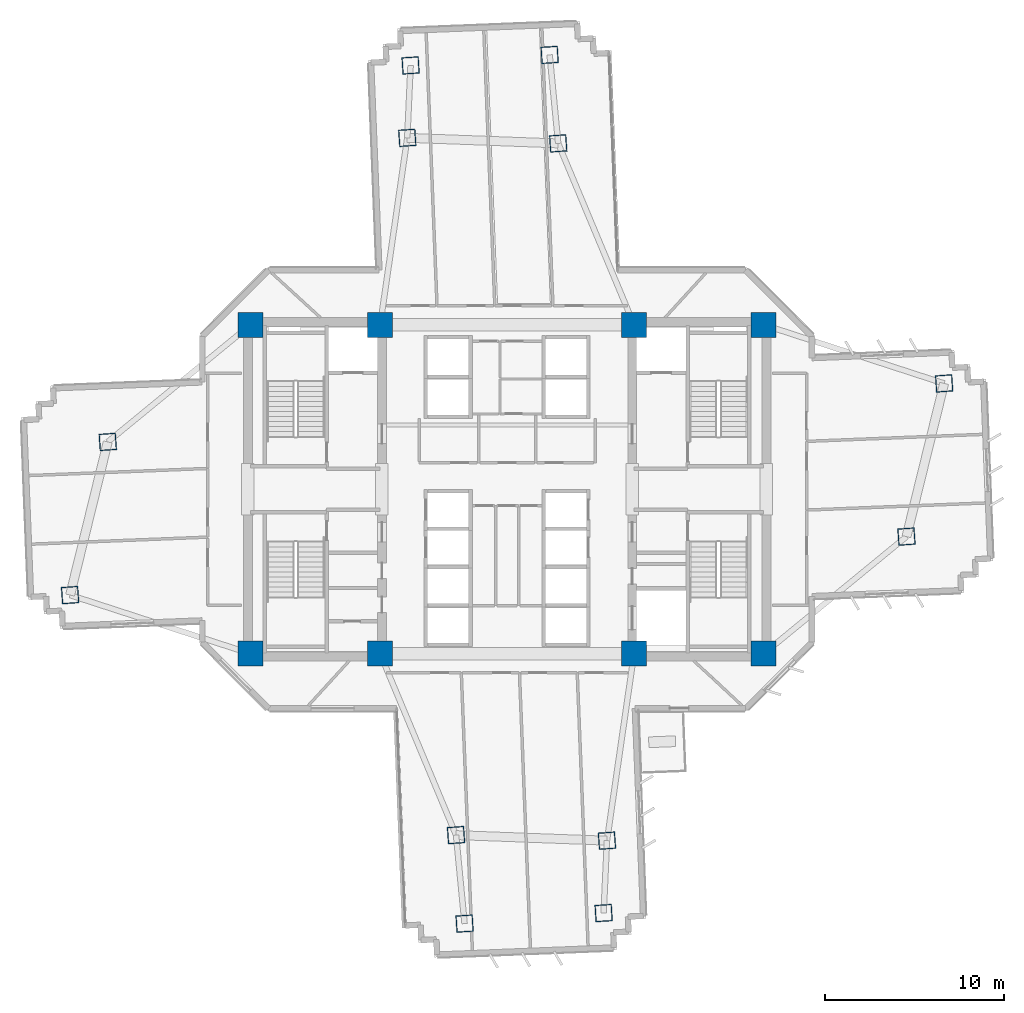
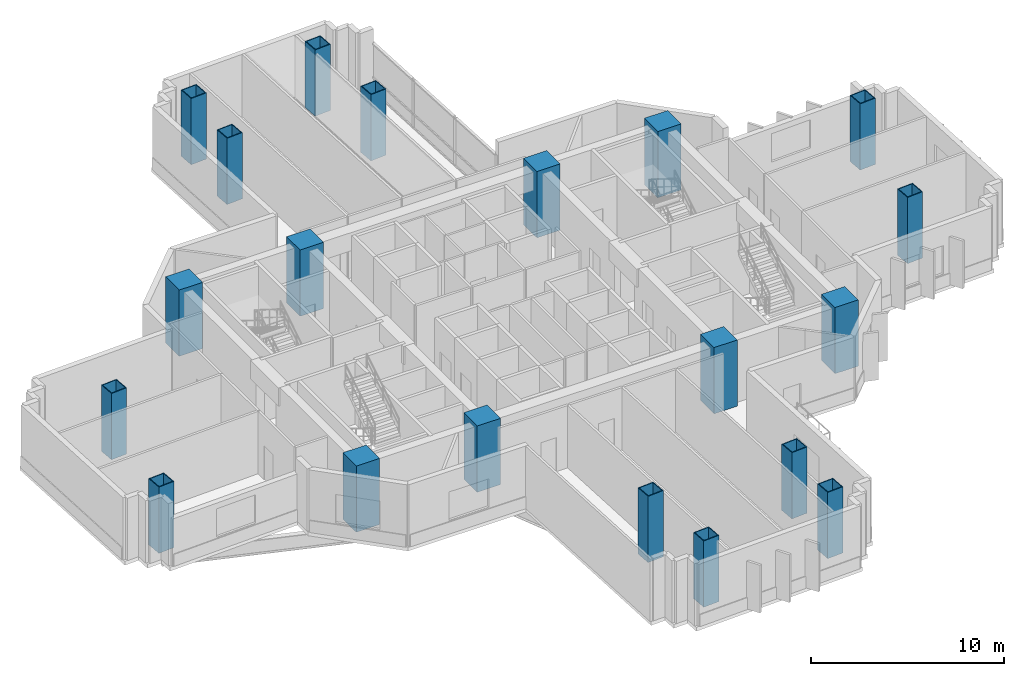
# One storey, part 1 of 16: 20 columns.
"""IFC4 building model written with IfcOpenShell, lengths in metres."""

from ifc_helpers import new_model, si_unit, direction, frame, origin, origin_2d, place, context, subcontext, project, spatial, rectangle, hollow_rectangle, extrude, source, transform, mapped, material, material_profile, profile_set, type_object, element, save


model = new_model("IFC4")

# Units and contexts
model_context = context("Model", 3, precision=1e-05, world=origin(), true_north=direction((0.0, 1.0)))
body_context = subcontext(model_context, "Body", "Model", "MODEL_VIEW")
ifc_project = project(units=[si_unit("LENGTHUNIT", "METRE"), si_unit("AREAUNIT", "SQUARE_METRE"), si_unit("VOLUMEUNIT", "CUBIC_METRE"), si_unit("PLANEANGLEUNIT", "RADIAN"), si_unit("MASSUNIT", "GRAM", prefix="KILO")], contexts=[model_context])

# Site, building, storey
site_placement = place(None, origin())
site = spatial("IfcSite", under=ifc_project, at=site_placement, CompositionType="ELEMENT")
building_placement = place(site_placement, origin())
building = spatial("IfcBuilding", under=site, at=building_placement, Name="Zahravan Cultural Tower", CompositionType="ELEMENT")
storey_placement = place(building_placement, frame((0.0, 0.0, 58.5)))
storey = spatial("IfcBuildingStorey", under=building, at=storey_placement, Name="L12", CompositionType="ELEMENT", Elevation=58.5)

# Columns
ifc_material_1 = material(Name="Concrete C60/75", Category="concrete")
ifc_material_profile_1 = material_profile(ifc_material_1, rectangle(XDim=1.39990234375, YDim=1.39990234375, at=origin_2d()), Name="RC1400X1400")
ifc_profile_set_1 = profile_set([ifc_material_profile_1], Name="Concrete C60/75")
column_type_1 = type_object("IfcColumnType", Name="COL-RC1400", PredefinedType="COLUMN", material=ifc_profile_set_1)
shared_shape_1 = source(origin(), body_context, "Body", "SweptSolid", [
    extrude(rectangle(XDim=1.39990234375, YDim=1.39990234375, at=origin_2d()), origin(), (0.0, 0.0, 1.0), 4.199951171875),
])
for number, where, z_axis, x_axis, name in (
    (1, (21.64990234375, 17.800048828125, 0.0), (0.0, 0.0, 1.0), (1.0, 0.0, 0.0), "L12 Column CC-W1"),
    (2, (28.89990234375, 17.800048828125, 0.0), (0.0, 0.0, 1.0), (1.0, 0.0, 0.0), "L12 Column CC-W2"),
    (3, (21.64990234375, 36.199951171875, 0.0), (0.0, 0.0, 1.0), (1.0, 0.0, 0.0), "L12 Column CC-W3"),
    (4, (28.89990234375, 36.199951171875, 0.0), (0.0, 0.0, 1.0), (1.0, 0.0, 0.0), "L12 Column CC-W4"),
    (5, (43.10009765625, 17.800048828125, 0.0), (0.0, 0.0, 1.0), (1.0, 0.0, 0.0), "L12 Column CC-E1"),
    (6, (50.35009765625, 17.800048828125, 0.0), (0.0, 0.0, 1.0), (1.0, 0.0, 0.0), "L12 Column CC-E2"),
    (7, (43.10009765625, 36.199951171875, 0.0), (0.0, 0.0, 1.0), (1.0, 0.0, 0.0), "L12 Column CC-E3"),
    (8, (50.35009765625, 36.199951171875, 0.0), (0.0, 0.0, 1.0), (1.0, 0.0, 0.0), "L12 Column CC-E4"),
):
    element("IfcColumn", number, at=place(storey_placement, frame(where, z_axis=z_axis, x_axis=x_axis)), inside=storey, type_object=column_type_1, Name=name, PredefinedType="COLUMN", context=body_context, shape_type="MappedRepresentation", body=[
        mapped(shared_shape_1, transform((0.0, 0.0, 0.0), x_axis=(1.0, 0.0, 0.0), y_axis=(0.0, 1.0, 0.0), z_axis=(0.0, 0.0, 1.0), scale=1.0)),
    ])
ifc_material_2 = material(Name="Steel ASTM A572 Grade 50", Category="steel")
ifc_material_profile_2 = material_profile(ifc_material_2, hollow_rectangle(XDim=0.949951171875, YDim=0.949951171875, WallThickness=0.050048828125, at=origin_2d()), Name="BOX950X950X50")
ifc_profile_set_2 = profile_set([ifc_material_profile_2], Name="Steel ASTM A572 Grade 50")
column_type_2 = type_object("IfcColumnType", Name="COL-BOX950", PredefinedType="COLUMN", material=ifc_profile_set_2)
shared_shape_2 = source(origin(), body_context, "Body", "SweptSolid", [
    extrude(hollow_rectangle(XDim=0.949951171875, YDim=0.949951171875, WallThickness=0.050048828125, at=origin_2d()), origin(), (0.0, 0.0, 1.0), 4.199951171875),
])
for number, where, z_axis, x_axis, name in (
    (9, (58.339111328125, 24.351806640625, 0.0), (0.0, 0.0, 1.0), (0.99756405026, 0.069756473744, 0.0), "L12 Column Z1C-E1"),
    (10, (60.446533203125, 32.919677734375, 0.0), (0.0, 0.0, 1.0), (0.99756405026, 0.069756473744, 0.0), "L12 Column Z1C-E2"),
    (11, (38.857421875, 46.346435546875, 0.0), (0.0, 0.0, 1.0), (-0.069756473744, 0.99756405026, 0.0), "L12 Column Z1C-N1"),
    (12, (30.4150390625, 46.658203125, 0.0), (0.0, 0.0, 1.0), (-0.069756473744, 0.99756405026, 0.0), "L12 Column Z1C-N2"),
    (13, (13.660888671875, 29.648193359375, 0.0), (0.0, 0.0, 1.0), (0.99756405026, 0.069756473744, 0.0), "L12 Column Z1C-W1"),
    (14, (11.553466796875, 21.080322265625, 0.0), (0.0, 0.0, 1.0), (0.99756405026, 0.069756473744, 0.0), "L12 Column Z1C-W2"),
    (15, (33.142578125, 7.653564453125, 0.0), (0.0, 0.0, 1.0), (-0.069756473744, 0.99756405026, 0.0), "L12 Column Z1C-S1"),
    (16, (41.5849609375, 7.341796875, 0.0), (0.0, 0.0, 1.0), (-0.069756473744, 0.99756405026, 0.0), "L12 Column Z1C-S2"),
    (17, (38.379150390625, 51.29736328125, 0.0), (0.0, 0.0, 1.0), (-0.062790519529, 0.998026728428, 0.0), "L12 Column Z1T-N1"),
    (18, (30.6005859375, 50.707763671875, 0.0), (0.0, 0.0, 1.0), (-0.062790519529, 0.998026728428, 0.0), "L12 Column Z1T-N2"),
    (19, (33.620849609375, 2.70263671875, 0.0), (0.0, 0.0, 1.0), (-0.062790519529, 0.998026728428, 0.0), "L12 Column Z1T-S1"),
    (20, (41.3994140625, 3.292236328125, 0.0), (0.0, 0.0, 1.0), (-0.062790519529, 0.998026728428, 0.0), "L12 Column Z1T-S2"),
):
    element("IfcColumn", number, at=place(storey_placement, frame(where, z_axis=z_axis, x_axis=x_axis)), inside=storey, type_object=column_type_2, Name=name, PredefinedType="COLUMN", context=body_context, shape_type="MappedRepresentation", body=[
        mapped(shared_shape_2, transform((0.0, 0.0, 0.0), x_axis=(1.0, 0.0, 0.0), y_axis=(0.0, 1.0, 0.0), z_axis=(0.0, 0.0, 1.0), scale=1.0)),
    ])

save(model, "model.ifc")
